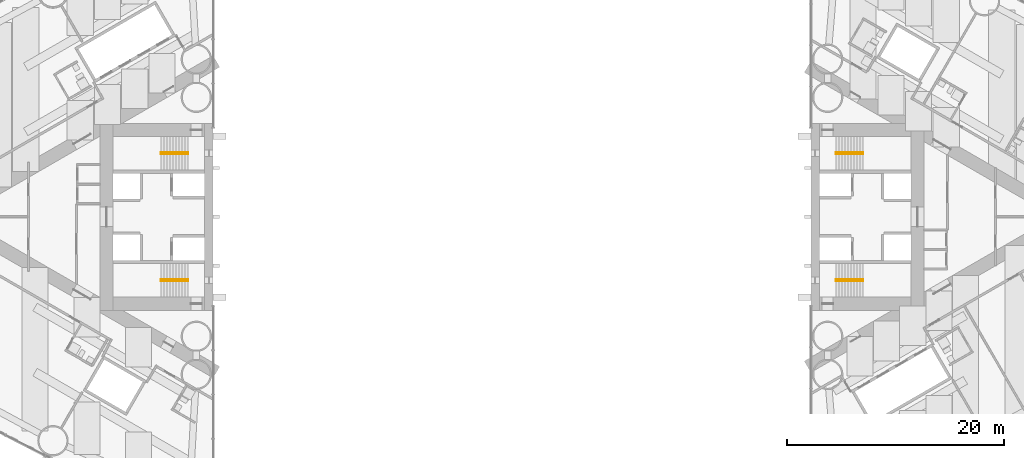
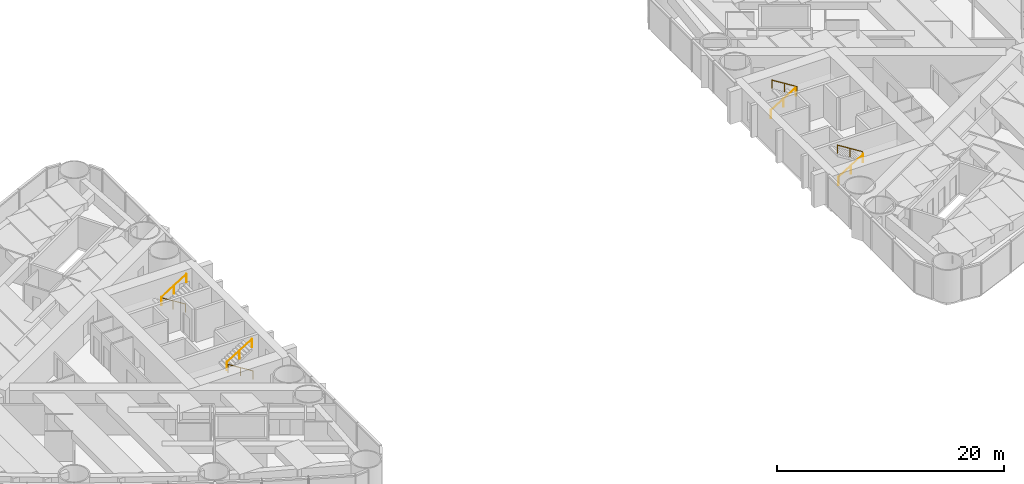
# One storey, part 18 of 19: 8 railings.
"""IFC4 building model written with IfcOpenShell, lengths in metres."""

from ifc_helpers import new_model, si_unit, direction, frame, origin, origin_2d, place, context, subcontext, project, spatial, circle, extrude, material, type_object, element, save


model = new_model("IFC4")

# Units and contexts
model_context = context("Model", 3, precision=1e-05, world=origin(), true_north=direction((0.0, 1.0)))
body_context = subcontext(model_context, "Body", "Model", "MODEL_VIEW")
ifc_project = project(units=[si_unit("LENGTHUNIT", "METRE"), si_unit("AREAUNIT", "SQUARE_METRE"), si_unit("VOLUMEUNIT", "CUBIC_METRE"), si_unit("PLANEANGLEUNIT", "RADIAN"), si_unit("MASSUNIT", "GRAM", prefix="KILO")], contexts=[model_context])

# Site, building, storey
site_placement = place(None, origin())
site = spatial("IfcSite", under=ifc_project, at=site_placement, CompositionType="ELEMENT")
building_placement = place(site_placement, origin())
building = spatial("IfcBuilding", under=site, at=building_placement, Name="Lancet Gate Hotel", CompositionType="ELEMENT")
storey_placement = place(building_placement, frame((0.0, 0.0, 74.0)))
storey = spatial("IfcBuildingStorey", under=building, at=storey_placement, Name="L19", CompositionType="ELEMENT", Elevation=74.0)

# Railings
ifc_material = material(Name="Stainless steel handrail", Category="steel")
railing_type = type_object("IfcRailingType", Name="Stair handrail 900", PredefinedType="HANDRAIL", material=ifc_material)
railing_1_placement = place(storey_placement, frame((-29.800048828125, 5.929931640625, 0.175048828125)))
element("IfcRailing", 1, at=railing_1_placement, inside=storey, type_object=railing_type, Name="ST1 handrail flight 1 L19", PredefinedType="HANDRAIL", context=body_context, shape_type="SweptSolid", body=[
    extrude(circle(Radius=0.02392578125, at=origin_2d()), frame((0.0, 0.0, 0.8759765625), z_axis=(-0.848007534815, 0.0, 0.529984170421), x_axis=(0.0, -1.0, 0.0)), (0.0, 0.0, 1.0), 2.9716796875),
    extrude(circle(Radius=0.02099609375, at=origin_2d()), origin(), (0.0, 0.0, 1.0), 0.851806640625),
    extrude(circle(Radius=0.02099609375, at=origin_2d()), frame((-1.260009765625, 0.0, 0.78759765625)), (0.0, 0.0, 1.0), 0.851806640625),
    extrude(circle(Radius=0.02099609375, at=origin_2d()), frame((-2.52001953125, 0.0, 1.574951171875)), (0.0, 0.0, 1.0), 0.851806640625),
])
railing_2_placement = place(storey_placement, frame((-32.320068359375, 5.77001953125, 1.925048828125)))
element("IfcRailing", 2, at=railing_2_placement, inside=storey, type_object=railing_type, Name="ST1 handrail flight 2 L19", PredefinedType="HANDRAIL", context=body_context, shape_type="SweptSolid", body=[
    extrude(circle(Radius=0.02392578125, at=origin_2d()), frame((0.0, 0.0, 0.8759765625), z_axis=(0.848007534815, 0.0, 0.529984170421), x_axis=(0.0, 1.0, 0.0)), (0.0, 0.0, 1.0), 2.9716796875),
    extrude(circle(Radius=0.02099609375, at=origin_2d()), origin(), (0.0, 0.0, 1.0), 0.851806640625),
    extrude(circle(Radius=0.02099609375, at=origin_2d()), frame((1.260009765625, 0.0, 0.78759765625)), (0.0, 0.0, 1.0), 0.851806640625),
    extrude(circle(Radius=0.02099609375, at=origin_2d()), frame((2.52001953125, 0.0, 1.574951171875)), (0.0, 0.0, 1.0), 0.851806640625),
])
railing_3_placement = place(storey_placement, frame((-29.800048828125, -5.929931640625, 0.175048828125)))
element("IfcRailing", 3, at=railing_3_placement, inside=storey, type_object=railing_type, Name="ST2 handrail flight 1 L19", PredefinedType="HANDRAIL", context=body_context, shape_type="SweptSolid", body=[
    extrude(circle(Radius=0.02392578125, at=origin_2d()), frame((0.0, 0.0, 0.8759765625), z_axis=(-0.848007534815, 0.0, 0.529984170421), x_axis=(0.0, -1.0, 0.0)), (0.0, 0.0, 1.0), 2.9716796875),
    extrude(circle(Radius=0.02099609375, at=origin_2d()), origin(), (0.0, 0.0, 1.0), 0.851806640625),
    extrude(circle(Radius=0.02099609375, at=origin_2d()), frame((-1.260009765625, 0.0, 0.78759765625)), (0.0, 0.0, 1.0), 0.851806640625),
    extrude(circle(Radius=0.02099609375, at=origin_2d()), frame((-2.52001953125, 0.0, 1.574951171875)), (0.0, 0.0, 1.0), 0.851806640625),
])
for number, where, name in (
    (4, (-32.320068359375, -5.77001953125, 1.925048828125), "ST2 handrail flight 2 L19"),
    (5, (29.800048828125, -5.929931640625, 0.175048828125), "ST3 handrail flight 1 L19"),
):
    element("IfcRailing", number, at=place(storey_placement, frame(where)), inside=storey, type_object=railing_type, Name=name, PredefinedType="HANDRAIL", context=body_context, shape_type="SweptSolid", body=[
        extrude(circle(Radius=0.02392578125, at=origin_2d()), frame((0.0, 0.0, 0.8759765625), z_axis=(0.848007534815, 0.0, 0.529984170421), x_axis=(0.0, 1.0, 0.0)), (0.0, 0.0, 1.0), 2.9716796875),
        extrude(circle(Radius=0.02099609375, at=origin_2d()), origin(), (0.0, 0.0, 1.0), 0.851806640625),
        extrude(circle(Radius=0.02099609375, at=origin_2d()), frame((1.260009765625, 0.0, 0.78759765625)), (0.0, 0.0, 1.0), 0.851806640625),
        extrude(circle(Radius=0.02099609375, at=origin_2d()), frame((2.52001953125, 0.0, 1.574951171875)), (0.0, 0.0, 1.0), 0.851806640625),
    ])
railing_4_placement = place(storey_placement, frame((32.320068359375, -5.77001953125, 1.925048828125)))
element("IfcRailing", 6, at=railing_4_placement, inside=storey, type_object=railing_type, Name="ST3 handrail flight 2 L19", PredefinedType="HANDRAIL", context=body_context, shape_type="SweptSolid", body=[
    extrude(circle(Radius=0.02392578125, at=origin_2d()), frame((0.0, 0.0, 0.8759765625), z_axis=(-0.848007534815, 0.0, 0.529984170421), x_axis=(0.0, -1.0, 0.0)), (0.0, 0.0, 1.0), 2.9716796875),
    extrude(circle(Radius=0.02099609375, at=origin_2d()), origin(), (0.0, 0.0, 1.0), 0.851806640625),
    extrude(circle(Radius=0.02099609375, at=origin_2d()), frame((-1.260009765625, 0.0, 0.78759765625)), (0.0, 0.0, 1.0), 0.851806640625),
    extrude(circle(Radius=0.02099609375, at=origin_2d()), frame((-2.52001953125, 0.0, 1.574951171875)), (0.0, 0.0, 1.0), 0.851806640625),
])
railing_5_placement = place(storey_placement, frame((29.800048828125, 5.929931640625, 0.175048828125)))
element("IfcRailing", 7, at=railing_5_placement, inside=storey, type_object=railing_type, Name="ST4 handrail flight 1 L19", PredefinedType="HANDRAIL", context=body_context, shape_type="SweptSolid", body=[
    extrude(circle(Radius=0.02392578125, at=origin_2d()), frame((0.0, 0.0, 0.8759765625), z_axis=(0.848007534815, 0.0, 0.529984170421), x_axis=(0.0, 1.0, 0.0)), (0.0, 0.0, 1.0), 2.9716796875),
    extrude(circle(Radius=0.02099609375, at=origin_2d()), origin(), (0.0, 0.0, 1.0), 0.851806640625),
    extrude(circle(Radius=0.02099609375, at=origin_2d()), frame((1.260009765625, 0.0, 0.78759765625)), (0.0, 0.0, 1.0), 0.851806640625),
    extrude(circle(Radius=0.02099609375, at=origin_2d()), frame((2.52001953125, 0.0, 1.574951171875)), (0.0, 0.0, 1.0), 0.851806640625),
])
railing_6_placement = place(storey_placement, frame((32.320068359375, 5.77001953125, 1.925048828125)))
element("IfcRailing", 8, at=railing_6_placement, inside=storey, type_object=railing_type, Name="ST4 handrail flight 2 L19", PredefinedType="HANDRAIL", context=body_context, shape_type="SweptSolid", body=[
    extrude(circle(Radius=0.02392578125, at=origin_2d()), frame((0.0, 0.0, 0.8759765625), z_axis=(-0.848007534815, 0.0, 0.529984170421), x_axis=(0.0, -1.0, 0.0)), (0.0, 0.0, 1.0), 2.9716796875),
    extrude(circle(Radius=0.02099609375, at=origin_2d()), origin(), (0.0, 0.0, 1.0), 0.851806640625),
    extrude(circle(Radius=0.02099609375, at=origin_2d()), frame((-1.260009765625, 0.0, 0.78759765625)), (0.0, 0.0, 1.0), 0.851806640625),
    extrude(circle(Radius=0.02099609375, at=origin_2d()), frame((-2.52001953125, 0.0, 1.574951171875)), (0.0, 0.0, 1.0), 0.851806640625),
])

save(model, "model.ifc")
